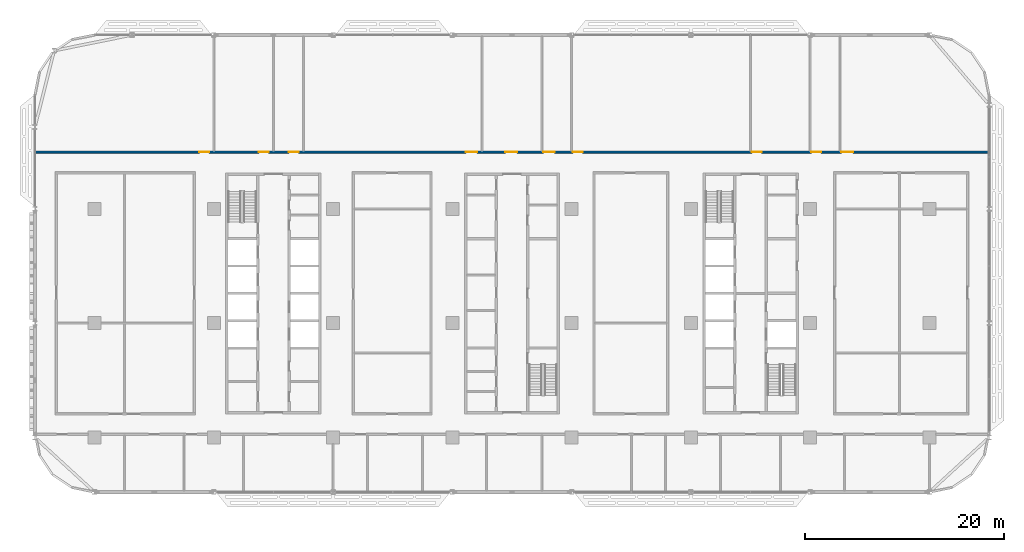
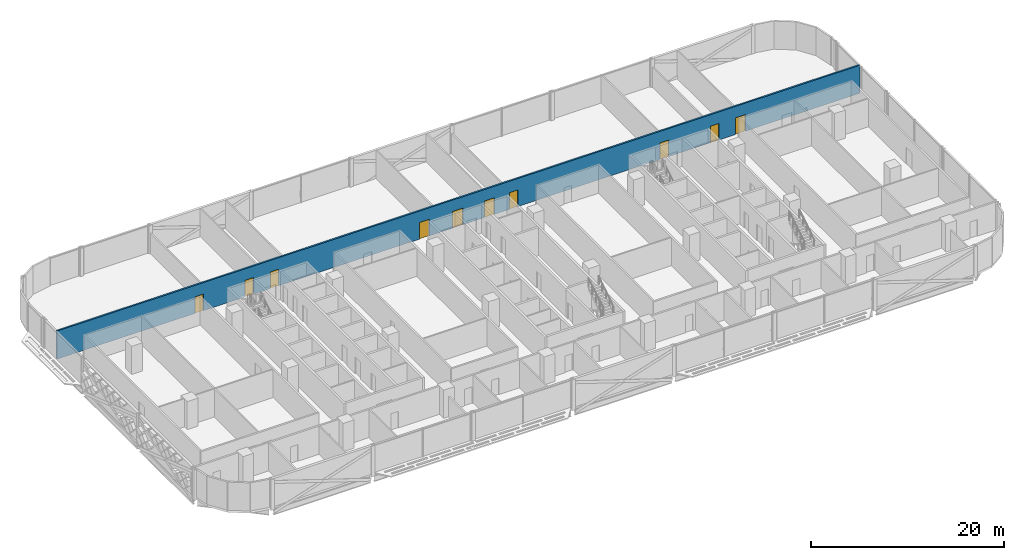
# One storey, part 16 of 29: 10 doors, 1 wall, 10 openings.
"""IFC4 building model written with IfcOpenShell, lengths in metres."""

from ifc_helpers import new_model, si_unit, direction, frame, frame_2d, origin, place, context, subcontext, project, spatial, rectangle, extrude, material, layer, layer_set, type_object, element, fill, save


model = new_model("IFC4")

# Units and contexts
model_context = context("Model", 3, precision=1e-05, world=origin(), true_north=direction((0.0, 1.0)))
body_context = subcontext(model_context, "Body", "Model", "MODEL_VIEW")
ifc_project = project(units=[si_unit("LENGTHUNIT", "METRE"), si_unit("AREAUNIT", "SQUARE_METRE"), si_unit("VOLUMEUNIT", "CUBIC_METRE"), si_unit("PLANEANGLEUNIT", "RADIAN"), si_unit("MASSUNIT", "GRAM", prefix="KILO")], contexts=[model_context])

# Site, building, storey
site_placement = place(None, origin())
site = spatial("IfcSite", under=ifc_project, at=site_placement, CompositionType="ELEMENT")
building_placement = place(site_placement, origin())
building = spatial("IfcBuilding", under=site, at=building_placement, Name="Mahtab Terrace Research Tower", CompositionType="ELEMENT")
storey_placement = place(building_placement, frame((0.0, 0.0, 150.699951171875)))
storey = spatial("IfcBuildingStorey", under=building, at=storey_placement, Name="L35", CompositionType="ELEMENT", Elevation=150.699951171875)

# Wall, openings, doors
ifc_material_1 = material(Name="Gypsum board corridor wall on steel studs", Category="steel")
ifc_layer = layer(ifc_material_1, 0.199951171875)
ifc_layer_set = layer_set([ifc_layer], Name="WALL CORRIDOR 200")
wall_type = type_object("IfcWallType", Name="WALL CORRIDOR 200", PredefinedType="PARTITIONING", material=ifc_layer_set)
wall_placement = place(storey_placement, frame((-47.97509765625, 17.199951171875, 0.0), z_axis=(0.0, 0.0, 1.0), x_axis=(1.0, 0.0, 0.0)))
wall = element("IfcWall", 1, at=wall_placement, inside=storey, type_object=wall_type, Name="L35-W026", PredefinedType="PARTITIONING", context=body_context, shape_type="SweptSolid", body=[
    extrude(rectangle(XDim=95.9501953125, YDim=0.199951171875, at=frame_2d((47.97509765625, 0.0))), origin(), (0.0, 0.0, 1.0), 3.550048828125),
])
opening_1_placement = place(wall_placement, frame((16.5, 0.0, 0.0)))
opening_1 = element("IfcOpeningElement", 2, at=opening_1_placement, cuts=wall, Name="Opening L35-131", PredefinedType="OPENING", context=body_context, shape_type="SweptSolid", body=[
    extrude(rectangle(XDim=1.0, YDim=2.10009765625, at=frame_2d((0.5, 1.050048828125))), frame((0.0, 0.10986328125, 0.0), z_axis=(0.0, -1.0, 0.0), x_axis=(1.0, 0.0, 0.0)), (0.0, 0.0, 1.0), 0.219970703125),
])
opening_2_placement = place(wall_placement, frame((22.5, 0.0, 0.0)))
opening_2 = element("IfcOpeningElement", 3, at=opening_2_placement, cuts=wall, Name="Opening L35-132", PredefinedType="OPENING", context=body_context, shape_type="SweptSolid", body=[
    extrude(rectangle(XDim=1.0, YDim=2.10009765625, at=frame_2d((0.5, 1.050048828125))), frame((0.0, 0.10986328125, 0.0), z_axis=(0.0, -1.0, 0.0), x_axis=(1.0, 0.0, 0.0)), (0.0, 0.0, 1.0), 0.219970703125),
])
opening_3_placement = place(wall_placement, frame((25.5, 0.0, 0.0)))
opening_3 = element("IfcOpeningElement", 4, at=opening_3_placement, cuts=wall, Name="Opening L35-133", PredefinedType="OPENING", context=body_context, shape_type="SweptSolid", body=[
    extrude(rectangle(XDim=1.0, YDim=2.10009765625, at=frame_2d((0.5, 1.050048828125))), frame((0.0, 0.10986328125, 0.0), z_axis=(0.0, -1.0, 0.0), x_axis=(1.0, 0.0, 0.0)), (0.0, 0.0, 1.0), 0.219970703125),
])
opening_4_placement = place(wall_placement, frame((43.300048828125, 0.0, 0.0)))
opening_4 = element("IfcOpeningElement", 5, at=opening_4_placement, cuts=wall, Name="Opening L35-134", PredefinedType="OPENING", context=body_context, shape_type="SweptSolid", body=[
    extrude(rectangle(XDim=1.199951171875, YDim=2.10009765625, at=frame_2d((0.60009765625, 1.050048828125))), frame((0.0, 0.10986328125, 0.0), z_axis=(0.0, -1.0, 0.0), x_axis=(1.0, 0.0, 0.0)), (0.0, 0.0, 1.0), 0.219970703125),
])
opening_5_placement = place(wall_placement, frame((47.300048828125, 0.0, 0.0)))
opening_5 = element("IfcOpeningElement", 6, at=opening_5_placement, cuts=wall, Name="Opening L35-135", PredefinedType="OPENING", context=body_context, shape_type="SweptSolid", body=[
    extrude(rectangle(XDim=1.199951171875, YDim=2.10009765625, at=frame_2d((0.60009765625, 1.050048828125))), frame((0.0, 0.10986328125, 0.0), z_axis=(0.0, -1.0, 0.0), x_axis=(1.0, 0.0, 0.0)), (0.0, 0.0, 1.0), 0.219970703125),
])
opening_6_placement = place(wall_placement, frame((51.10009765625, 0.0, 0.0)))
opening_6 = element("IfcOpeningElement", 7, at=opening_6_placement, cuts=wall, Name="Opening L35-136", PredefinedType="OPENING", context=body_context, shape_type="SweptSolid", body=[
    extrude(rectangle(XDim=1.199951171875, YDim=2.10009765625, at=frame_2d((0.60009765625, 1.050048828125))), frame((0.0, 0.10986328125, 0.0), z_axis=(0.0, -1.0, 0.0), x_axis=(1.0, 0.0, 0.0)), (0.0, 0.0, 1.0), 0.219970703125),
])
opening_7_placement = place(wall_placement, frame((54.10009765625, 0.0, 0.0)))
opening_7 = element("IfcOpeningElement", 8, at=opening_7_placement, cuts=wall, Name="Opening L35-137", PredefinedType="OPENING", context=body_context, shape_type="SweptSolid", body=[
    extrude(rectangle(XDim=1.0, YDim=2.10009765625, at=frame_2d((0.5, 1.050048828125))), frame((0.0, 0.10986328125, 0.0), z_axis=(0.0, -1.0, 0.0), x_axis=(1.0, 0.0, 0.0)), (0.0, 0.0, 1.0), 0.219970703125),
])
opening_8_placement = place(wall_placement, frame((72.10009765625, 0.0, 0.0)))
opening_8 = element("IfcOpeningElement", 9, at=opening_8_placement, cuts=wall, Name="Opening L35-138", PredefinedType="OPENING", context=body_context, shape_type="SweptSolid", body=[
    extrude(rectangle(XDim=1.0, YDim=2.10009765625, at=frame_2d((0.5, 1.050048828125))), frame((0.0, 0.10986328125, 0.0), z_axis=(0.0, -1.0, 0.0), x_axis=(1.0, 0.0, 0.0)), (0.0, 0.0, 1.0), 0.219970703125),
])
opening_9_placement = place(wall_placement, frame((78.10009765625, 0.0, 0.0)))
opening_9 = element("IfcOpeningElement", 10, at=opening_9_placement, cuts=wall, Name="Opening L35-139", PredefinedType="OPENING", context=body_context, shape_type="SweptSolid", body=[
    extrude(rectangle(XDim=1.0, YDim=2.10009765625, at=frame_2d((0.5, 1.050048828125))), frame((0.0, 0.10986328125, 0.0), z_axis=(0.0, -1.0, 0.0), x_axis=(1.0, 0.0, 0.0)), (0.0, 0.0, 1.0), 0.219970703125),
])
opening_10_placement = place(wall_placement, frame((81.10009765625, 0.0, 0.0)))
opening_10 = element("IfcOpeningElement", 11, at=opening_10_placement, cuts=wall, Name="Opening L35-140", PredefinedType="OPENING", context=body_context, shape_type="SweptSolid", body=[
    extrude(rectangle(XDim=1.199951171875, YDim=2.10009765625, at=frame_2d((0.60009765625, 1.050048828125))), frame((0.0, 0.10986328125, 0.0), z_axis=(0.0, -1.0, 0.0), x_axis=(1.0, 0.0, 0.0)), (0.0, 0.0, 1.0), 0.219970703125),
])
ifc_material_2 = material(Name="Timber door leaf in steel frame", Category="steel")
door_type_1 = type_object("IfcDoorType", Name="DOOR 1000X2100 FD30S", OperationType="SINGLE_SWING_LEFT", PredefinedType="DOOR", material=ifc_material_2)
door_1_placement = place(opening_1_placement, origin())
door_1 = element("IfcDoor", 12, at=door_1_placement, inside=storey, type_object=door_type_1, Name="Door L35-131", OperationType="SINGLE_SWING_LEFT", OverallHeight=2.10009765625, OverallWidth=1.0, PredefinedType="DOOR", context=body_context, shape_type="SweptSolid", body=[
    extrude(rectangle(XDim=1.0, YDim=2.10009765625, at=frame_2d((0.5, 1.050048828125))), frame((0.0, 0.02490234375, 0.0), z_axis=(0.0, -1.0, 0.0), x_axis=(1.0, 0.0, 0.0)), (0.0, 0.0, 1.0), 0.050048828125),
])
fill(opening_1, door_1)
door_2_placement = place(opening_2_placement, origin())
door_2 = element("IfcDoor", 13, at=door_2_placement, inside=storey, type_object=door_type_1, Name="Door L35-132", OperationType="SINGLE_SWING_LEFT", OverallHeight=2.10009765625, OverallWidth=1.0, PredefinedType="DOOR", context=body_context, shape_type="SweptSolid", body=[
    extrude(rectangle(XDim=1.0, YDim=2.10009765625, at=frame_2d((0.5, 1.050048828125))), frame((0.0, 0.02490234375, 0.0), z_axis=(0.0, -1.0, 0.0), x_axis=(1.0, 0.0, 0.0)), (0.0, 0.0, 1.0), 0.050048828125),
])
fill(opening_2, door_2)
door_3_placement = place(opening_3_placement, origin())
door_3 = element("IfcDoor", 14, at=door_3_placement, inside=storey, type_object=door_type_1, Name="Door L35-133", OperationType="SINGLE_SWING_LEFT", OverallHeight=2.10009765625, OverallWidth=1.0, PredefinedType="DOOR", context=body_context, shape_type="SweptSolid", body=[
    extrude(rectangle(XDim=1.0, YDim=2.10009765625, at=frame_2d((0.5, 1.050048828125))), frame((0.0, 0.02490234375, 0.0), z_axis=(0.0, -1.0, 0.0), x_axis=(1.0, 0.0, 0.0)), (0.0, 0.0, 1.0), 0.050048828125),
])
fill(opening_3, door_3)
door_4_placement = place(opening_7_placement, origin())
door_4 = element("IfcDoor", 15, at=door_4_placement, inside=storey, type_object=door_type_1, Name="Door L35-137", OperationType="SINGLE_SWING_RIGHT", OverallHeight=2.10009765625, OverallWidth=1.0, PredefinedType="DOOR", context=body_context, shape_type="SweptSolid", body=[
    extrude(rectangle(XDim=1.0, YDim=2.10009765625, at=frame_2d((0.5, 1.050048828125))), frame((0.0, 0.02490234375, 0.0), z_axis=(0.0, -1.0, 0.0), x_axis=(1.0, 0.0, 0.0)), (0.0, 0.0, 1.0), 0.050048828125),
])
fill(opening_7, door_4)
door_5_placement = place(opening_8_placement, origin())
door_5 = element("IfcDoor", 16, at=door_5_placement, inside=storey, type_object=door_type_1, Name="Door L35-138", OperationType="SINGLE_SWING_RIGHT", OverallHeight=2.10009765625, OverallWidth=1.0, PredefinedType="DOOR", context=body_context, shape_type="SweptSolid", body=[
    extrude(rectangle(XDim=1.0, YDim=2.10009765625, at=frame_2d((0.5, 1.050048828125))), frame((0.0, 0.02490234375, 0.0), z_axis=(0.0, -1.0, 0.0), x_axis=(1.0, 0.0, 0.0)), (0.0, 0.0, 1.0), 0.050048828125),
])
fill(opening_8, door_5)
door_6_placement = place(opening_9_placement, origin())
door_6 = element("IfcDoor", 17, at=door_6_placement, inside=storey, type_object=door_type_1, Name="Door L35-139", OperationType="SINGLE_SWING_RIGHT", OverallHeight=2.10009765625, OverallWidth=1.0, PredefinedType="DOOR", context=body_context, shape_type="SweptSolid", body=[
    extrude(rectangle(XDim=1.0, YDim=2.10009765625, at=frame_2d((0.5, 1.050048828125))), frame((0.0, 0.02490234375, 0.0), z_axis=(0.0, -1.0, 0.0), x_axis=(1.0, 0.0, 0.0)), (0.0, 0.0, 1.0), 0.050048828125),
])
fill(opening_9, door_6)
door_type_2 = type_object("IfcDoorType", Name="DOOR 1200X2100 FD30S", OperationType="SINGLE_SWING_LEFT", PredefinedType="DOOR", material=ifc_material_2)
door_7_placement = place(opening_4_placement, origin())
door_7 = element("IfcDoor", 18, at=door_7_placement, inside=storey, type_object=door_type_2, Name="Door L35-134", OperationType="SINGLE_SWING_LEFT", OverallHeight=2.10009765625, OverallWidth=1.199951171875, PredefinedType="DOOR", context=body_context, shape_type="SweptSolid", body=[
    extrude(rectangle(XDim=1.199951171875, YDim=2.10009765625, at=frame_2d((0.60009765625, 1.050048828125))), frame((0.0, 0.02490234375, 0.0), z_axis=(0.0, -1.0, 0.0), x_axis=(1.0, 0.0, 0.0)), (0.0, 0.0, 1.0), 0.050048828125),
])
fill(opening_4, door_7)
door_8_placement = place(opening_5_placement, origin())
door_8 = element("IfcDoor", 19, at=door_8_placement, inside=storey, type_object=door_type_2, Name="Door L35-135", OperationType="SINGLE_SWING_RIGHT", OverallHeight=2.10009765625, OverallWidth=1.199951171875, PredefinedType="DOOR", context=body_context, shape_type="SweptSolid", body=[
    extrude(rectangle(XDim=1.199951171875, YDim=2.10009765625, at=frame_2d((0.60009765625, 1.050048828125))), frame((0.0, 0.02490234375, 0.0), z_axis=(0.0, -1.0, 0.0), x_axis=(1.0, 0.0, 0.0)), (0.0, 0.0, 1.0), 0.050048828125),
])
fill(opening_5, door_8)
door_9_placement = place(opening_6_placement, origin())
door_9 = element("IfcDoor", 20, at=door_9_placement, inside=storey, type_object=door_type_2, Name="Door L35-136", OperationType="SINGLE_SWING_RIGHT", OverallHeight=2.10009765625, OverallWidth=1.199951171875, PredefinedType="DOOR", context=body_context, shape_type="SweptSolid", body=[
    extrude(rectangle(XDim=1.199951171875, YDim=2.10009765625, at=frame_2d((0.60009765625, 1.050048828125))), frame((0.0, 0.02490234375, 0.0), z_axis=(0.0, -1.0, 0.0), x_axis=(1.0, 0.0, 0.0)), (0.0, 0.0, 1.0), 0.050048828125),
])
fill(opening_6, door_9)
door_10_placement = place(opening_10_placement, origin())
door_10 = element("IfcDoor", 21, at=door_10_placement, inside=storey, type_object=door_type_2, Name="Door L35-140", OperationType="SINGLE_SWING_RIGHT", OverallHeight=2.10009765625, OverallWidth=1.199951171875, PredefinedType="DOOR", context=body_context, shape_type="SweptSolid", body=[
    extrude(rectangle(XDim=1.199951171875, YDim=2.10009765625, at=frame_2d((0.60009765625, 1.050048828125))), frame((0.0, 0.02490234375, 0.0), z_axis=(0.0, -1.0, 0.0), x_axis=(1.0, 0.0, 0.0)), (0.0, 0.0, 1.0), 0.050048828125),
])
fill(opening_10, door_10)

save(model, "model.ifc")
